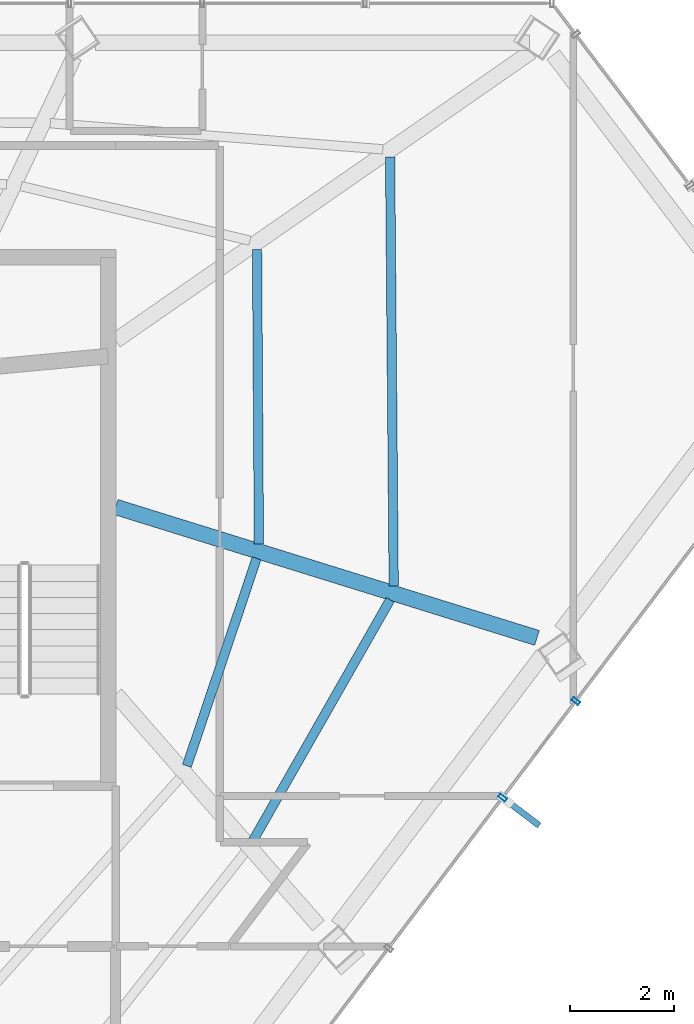
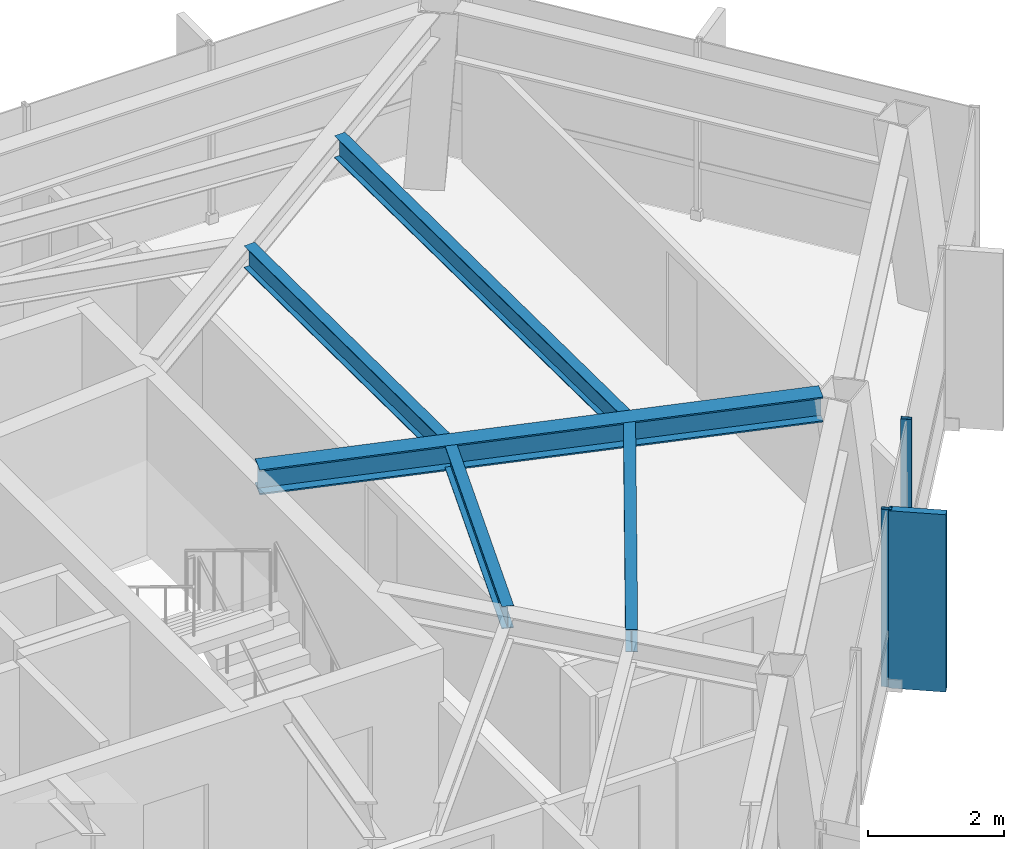
# One storey, part 19 of 27: 5 beams, 3 members, 1 element without a shape of its own.
"""IFC4 building model written with IfcOpenShell, lengths in metres."""

from ifc_helpers import new_model, si_unit, direction, frame, origin, origin_2d, place, context, subcontext, project, spatial, rectangle, hollow_rectangle, i_section, extrude, material, layer, layer_set, material_profile, profile_set, type_object, element, aggregate, save


model = new_model("IFC4")

# Units and contexts
model_context = context("Model", 3, precision=1e-05, world=origin(), true_north=direction((0.0, 1.0)))
body_context = subcontext(model_context, "Body", "Model", "MODEL_VIEW")
ifc_project = project(units=[si_unit("LENGTHUNIT", "METRE"), si_unit("AREAUNIT", "SQUARE_METRE"), si_unit("VOLUMEUNIT", "CUBIC_METRE"), si_unit("PLANEANGLEUNIT", "RADIAN"), si_unit("MASSUNIT", "GRAM", prefix="KILO")], contexts=[model_context])

# Site, building, storey
site_placement = place(None, origin())
site = spatial("IfcSite", under=ifc_project, at=site_placement, CompositionType="ELEMENT")
building_placement = place(site_placement, origin())
building = spatial("IfcBuilding", under=site, at=building_placement, Name="Zarrinselat Tower", CompositionType="ELEMENT")
storey_placement = place(building_placement, frame((0.0, 0.0, 225.760009765625)))
storey = spatial("IfcBuildingStorey", under=building, at=storey_placement, Name="L56", CompositionType="ELEMENT", Elevation=225.760009765625)

# Beams
ifc_material_1 = material(Name="Steel S355J2", Category="steel")
ifc_material_profile_1 = material_profile(ifc_material_1, i_section(OverallWidth=0.300048828125, OverallDepth=0.449951171875, WebThickness=0.013916015625, FlangeThickness=0.02587890625, at=origin_2d()), Name="HEB 450")
ifc_profile_set_1 = profile_set([ifc_material_profile_1], Name="Steel S355J2")
beam_type_1 = type_object("IfcBeamType", Name="BM-HEB450", PredefinedType="BEAM", material=ifc_profile_set_1)
beam_1_placement = place(storey_placement, frame((48.35009765625, 38.60009765625, 2.955078125), z_axis=(0.954930921027, -0.296828125463, 0.0), x_axis=(0.296828125463, 0.954930921027, 0.0)))
element("IfcBeam", 1, at=beam_1_placement, inside=storey, type_object=beam_type_1, Name="L56 Radial Primary Girder RG14", PredefinedType="BEAM", context=body_context, shape_type="SweptSolid", body=[
    extrude(i_section(OverallWidth=0.300048828125, OverallDepth=0.449951171875, WebThickness=0.013916015625, FlangeThickness=0.02587890625, at=origin_2d()), origin(), (0.0, 0.0, 1.0), 8.485595703125),
])
ifc_material_2 = material(Name="Steel S355J2", Category="steel")
ifc_material_profile_2 = material_profile(ifc_material_2, i_section(OverallWidth=0.179931640625, OverallDepth=0.39990234375, WebThickness=0.008544921875, FlangeThickness=0.013427734375, at=origin_2d()), Name="IPE 400")
ifc_profile_set_2 = profile_set([ifc_material_profile_2], Name="Steel S355J2")
beam_type_2 = type_object("IfcBeamType", Name="BM-IPE400", PredefinedType="JOIST", material=ifc_profile_set_2)
beam_2_placement = place(storey_placement, frame((50.99169921875, 32.1845703125, 2.97998046875), z_axis=(0.49480643007, 0.869003220225, 0.0), x_axis=(-0.869003220225, 0.49480643007, 0.0)))
element("IfcBeam", 2, at=beam_2_placement, inside=storey, type_object=beam_type_2, Name="L56 Composite Floor Joist 4-1", PredefinedType="JOIST", context=body_context, shape_type="SweptSolid", body=[
    extrude(i_section(OverallWidth=0.179931640625, OverallDepth=0.39990234375, WebThickness=0.008544921875, FlangeThickness=0.013427734375, at=origin_2d()), origin(), (0.0, 0.0, 1.0), 5.329833984375),
])
beam_3_placement = place(storey_placement, frame((49.7197265625, 33.61962890625, 2.97998046875), z_axis=(0.318436015028, 0.947944357192, 0.0), x_axis=(-0.947944357192, 0.318436015028, 0.0)))
element("IfcBeam", 3, at=beam_3_placement, inside=storey, type_object=beam_type_2, Name="L56 Composite Floor Joist 4-2", PredefinedType="JOIST", context=body_context, shape_type="SweptSolid", body=[
    extrude(i_section(OverallWidth=0.179931640625, OverallDepth=0.39990234375, WebThickness=0.008544921875, FlangeThickness=0.013427734375, at=origin_2d()), origin(), (0.0, 0.0, 1.0), 4.210693359375),
])
beam_4_placement = place(storey_placement, frame((53.62744140625, 45.32666015625, 2.97998046875), z_axis=(0.008434647268, -0.99996442773, 0.0), x_axis=(0.99996442773, 0.008434647268, 0.0)))
element("IfcBeam", 4, at=beam_4_placement, inside=storey, type_object=beam_type_2, Name="L56 Composite Floor Joist 5-1", PredefinedType="JOIST", context=body_context, shape_type="SweptSolid", body=[
    extrude(i_section(OverallWidth=0.179931640625, OverallDepth=0.39990234375, WebThickness=0.008544921875, FlangeThickness=0.013427734375, at=origin_2d()), origin(), (0.0, 0.0, 1.0), 8.249267578125),
])
beam_5_placement = place(storey_placement, frame((51.06884765625, 43.548828125, 2.97998046875), z_axis=(0.006248800596, -0.999980476055, 0.0), x_axis=(0.999980476055, 0.006248800596, 0.0)))
element("IfcBeam", 5, at=beam_5_placement, inside=storey, type_object=beam_type_2, Name="L56 Composite Floor Joist 5-2", PredefinedType="JOIST", context=body_context, shape_type="SweptSolid", body=[
    extrude(i_section(OverallWidth=0.179931640625, OverallDepth=0.39990234375, WebThickness=0.008544921875, FlangeThickness=0.013427734375, at=origin_2d()), origin(), (0.0, 0.0, 1.0), 5.6650390625),
])

# Curtain wall, members
ifc_material_3 = material(Name="Extruded Aluminium Alloy EN AW-6063 T6", Category="aluminium")
ifc_layer = layer(ifc_material_3, 0.169921875)
ifc_layer_set = layer_set([ifc_layer], Name="Extruded Aluminium Alloy EN AW-6063 T6")
curtain_wall_type = type_object("IfcCurtainWallType", Name="CWS-RES", PredefinedType="NOTDEFINED", material=ifc_layer_set)
curtain_wall_placement = place(storey_placement, origin())
curtain_wall = element("IfcCurtainWall", 6, at=curtain_wall_placement, inside=storey, type_object=curtain_wall_type, Name="L56 Unitised Curtain Wall CW-L56-E05", PredefinedType="NOTDEFINED")
ifc_material_4 = material(Name="Extruded Aluminium Alloy EN AW-6063 T6", Category="aluminium")
ifc_material_profile_3 = material_profile(ifc_material_4, hollow_rectangle(XDim=0.070068359375, YDim=0.159912109375, WallThickness=0.00390625, at=origin_2d()), Name="RHS 160x70x4")
ifc_profile_set_3 = profile_set([ifc_material_profile_3], Name="Extruded Aluminium Alloy EN AW-6063 T6")
member_type_1 = type_object("IfcMemberType", Name="MEM-CW-MUL2", PredefinedType="MULLION", material=ifc_profile_set_3)
member_1_placement = place(storey_placement, frame((55.791015625, 33.00732421875, 0.0), z_axis=(0.0, 0.0, 1.0), x_axis=(0.603859212041, 0.797090993572, 0.0)))
member_1 = element("IfcMember", 7, at=member_1_placement, type_object=member_type_1, Name="CW-L56-E05 Mullion 5", PredefinedType="MULLION", context=body_context, shape_type="SweptSolid", body=[
    extrude(hollow_rectangle(XDim=0.070068359375, YDim=0.159912109375, WallThickness=0.00390625, at=origin_2d()), origin(), (0.0, 0.0, 1.0), 3.179931640625),
])
member_2_placement = place(storey_placement, frame((57.1982421875, 34.864990234375, 0.0), z_axis=(0.0, 0.0, 1.0), x_axis=(0.603859212041, 0.797090993572, 0.0)))
member_2 = element("IfcMember", 8, at=member_2_placement, type_object=member_type_1, Name="CW-L56-E05 Mullion 6", PredefinedType="MULLION", context=body_context, shape_type="SweptSolid", body=[
    extrude(hollow_rectangle(XDim=0.070068359375, YDim=0.159912109375, WallThickness=0.00390625, at=origin_2d()), origin(), (0.0, 0.0, 1.0), 3.179931640625),
])
ifc_material_5 = material(Name="Honed Cream Travertine Stone", Category="masonry")
ifc_material_profile_4 = material_profile(ifc_material_5, rectangle(XDim=0.1201171875, YDim=0.85009765625, at=origin_2d()), Name="FIN 850x120")
ifc_profile_set_4 = profile_set([ifc_material_profile_4], Name="Honed Cream Travertine Stone")
member_type_2 = type_object("IfcMemberType", Name="MEM-STONE-FIN", PredefinedType="USERDEFINED", material=ifc_profile_set_4)
member_3_placement = place(storey_placement, frame((56.15771484375, 32.7294921875, 0.0), z_axis=(0.0, 0.0, 1.0), x_axis=(-0.603859212041, -0.797090993572, 0.0)))
member_3 = element("IfcMember", 9, at=member_3_placement, type_object=member_type_2, Name="L56 Stone Shading Fin CW-L56-E05-05", ObjectType="FIN", PredefinedType="USERDEFINED", context=body_context, shape_type="SweptSolid", body=[
    extrude(rectangle(XDim=0.1201171875, YDim=0.85009765625, at=origin_2d()), origin(), (0.0, 0.0, 1.0), 3.179931640625),
])
aggregate(curtain_wall, [member_1, member_3, member_2])

save(model, "model.ifc")
